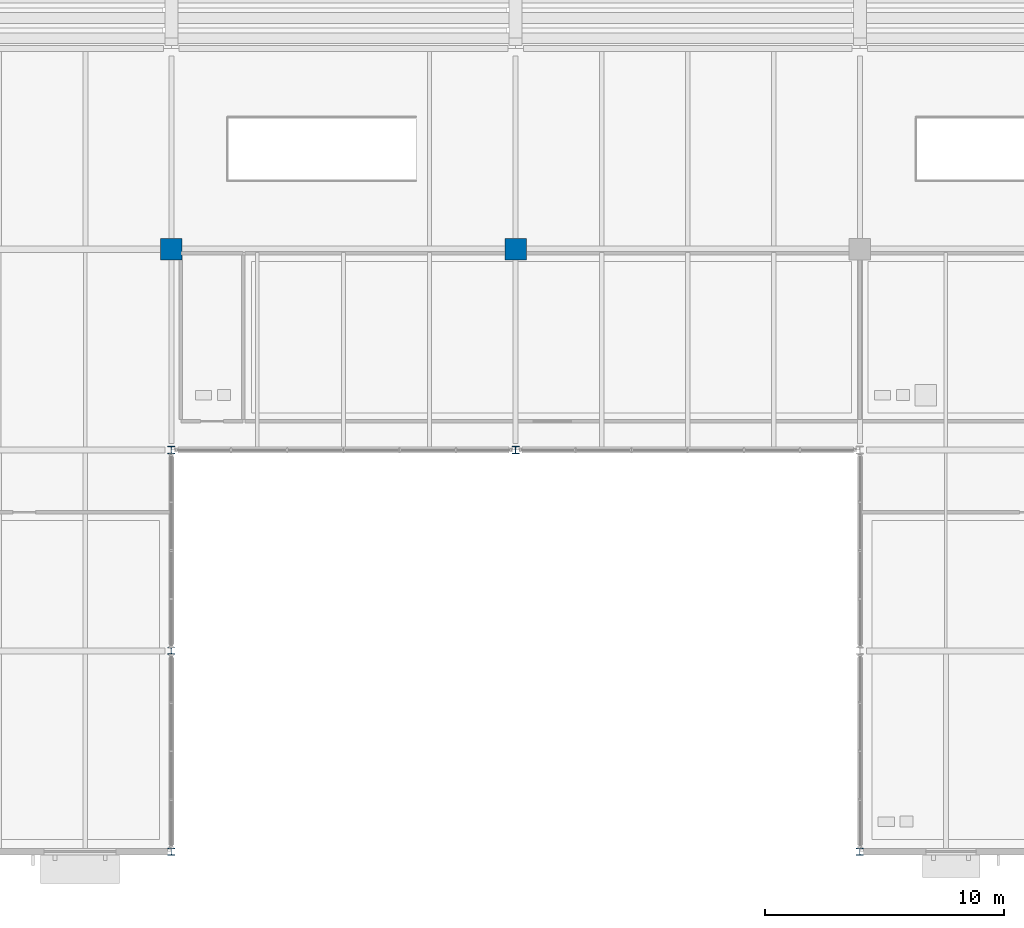
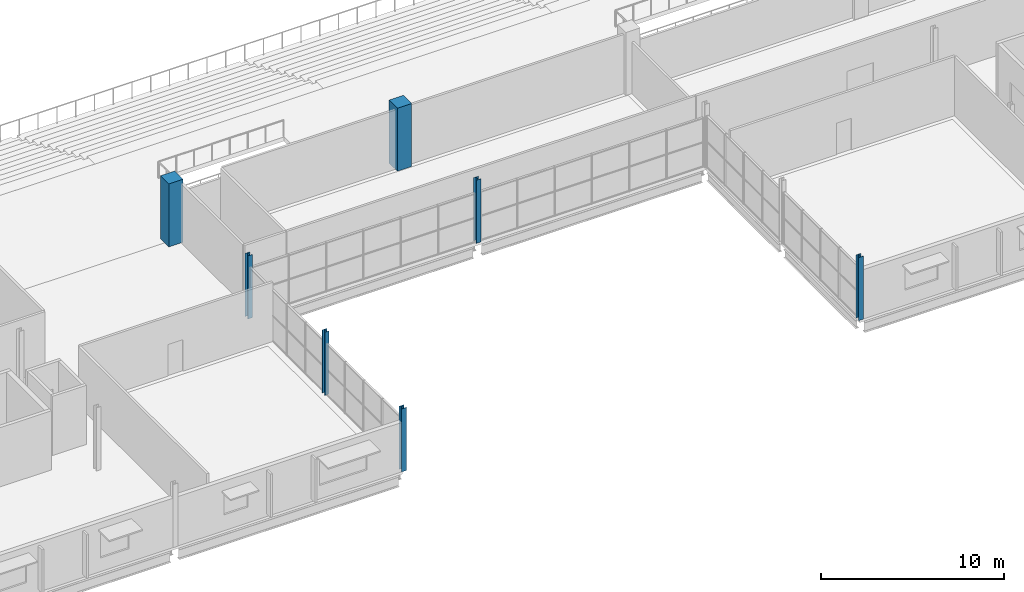
# One storey, part 3 of 161: 7 columns.
"""IFC4 building model written with IfcOpenShell, lengths in metres."""

from ifc_helpers import new_model, si_unit, direction, frame, origin, origin_2d, place, context, subcontext, project, spatial, rectangle, i_section, extrude, material, material_profile, profile_set, type_object, element, save


model = new_model("IFC4")

# Units and contexts
model_context = context("Model", 3, precision=1e-05, world=origin(), true_north=direction((0.0, 1.0)))
body_context = subcontext(model_context, "Body", "Model", "MODEL_VIEW")
ifc_project = project(units=[si_unit("LENGTHUNIT", "METRE"), si_unit("AREAUNIT", "SQUARE_METRE"), si_unit("VOLUMEUNIT", "CUBIC_METRE"), si_unit("PLANEANGLEUNIT", "RADIAN"), si_unit("MASSUNIT", "GRAM", prefix="KILO"), si_unit("THERMODYNAMICTEMPERATUREUNIT", "KELVIN")], contexts=[model_context])

# Site, building, storey
site_placement = place(None, origin())
site = spatial("IfcSite", under=ifc_project, at=site_placement, CompositionType="ELEMENT")
building_placement = place(site_placement, origin())
building = spatial("IfcBuilding", under=site, at=building_placement, Name="Nduvali Passage Aquatics Centre", CompositionType="ELEMENT")
storey_placement = place(building_placement, frame((0.0, 0.0, 4.800048828125)))
storey = spatial("IfcBuildingStorey", under=building, at=storey_placement, Name="L01", CompositionType="ELEMENT", Elevation=4.800048828125)

# Columns
ifc_material_1 = material(Name="Steel S355", Category="steel")
ifc_material_profile_1 = material_profile(ifc_material_1, i_section(OverallWidth=0.280029296875, OverallDepth=0.280029296875, WebThickness=0.010498046875, FlangeThickness=0.01806640625, FilletRadius=0.02392578125, at=origin_2d()), Name="HEB 280")
ifc_profile_set_1 = profile_set([ifc_material_profile_1], Name="Steel S355")
column_type_1 = type_object("IfcColumnType", Name="STR-COL-HEB280-EXT", PredefinedType="COLUMN", material=ifc_profile_set_1)
column_placement = place(storey_placement, frame((68.39990234375, 8.39990234375, 0.0), z_axis=(0.0, 0.0, 1.0), x_axis=(1.0, 0.0, 0.0)))
element("IfcColumn", 1, at=column_placement, inside=storey, type_object=column_type_1, Name="L01 Column C9E (68.4, 8.4)", PredefinedType="COLUMN", context=body_context, shape_type="SweptSolid", body=[
    extrude(i_section(OverallWidth=0.280029296875, OverallDepth=0.280029296875, WebThickness=0.010498046875, FlangeThickness=0.01806640625, FilletRadius=0.02392578125, at=origin_2d()), origin(), (0.0, 0.0, 1.0), 4.199951171875),
])
ifc_material_profile_2 = material_profile(ifc_material_1, i_section(OverallWidth=0.300048828125, OverallDepth=0.300048828125, WebThickness=0.010986328125, FlangeThickness=0.01904296875, FilletRadius=0.027099609375, at=origin_2d()), Name="HEB 300")
ifc_profile_set_2 = profile_set([ifc_material_profile_2], Name="Steel S355")
column_type_2 = type_object("IfcColumnType", Name="STR-COL-HEB300-EXT", PredefinedType="COLUMN", material=ifc_profile_set_2)
for number, where, z_axis, x_axis, name in (
    (2, (68.39990234375, 0.0, 0.0), (0.0, 0.0, 1.0), (1.0, 0.0, 0.0), "L01 Column C8E (68.4, 0.0)"),
    (3, (68.39990234375, 16.800048828125, 0.0), (0.0, 0.0, 1.0), (1.0, 0.0, 0.0), "L01 Column C8E (68.4, 16.8)"),
    (4, (82.800048828125, 16.800048828125, 0.0), (0.0, 0.0, 1.0), (1.0, 0.0, 0.0), "L01 Column C8E (82.8, 16.8)"),
    (5, (97.199951171875, 0.0, 0.0), (0.0, 0.0, 1.0), (1.0, 0.0, 0.0), "L01 Column C8E (97.2, 0.0)"),
):
    element("IfcColumn", number, at=place(storey_placement, frame(where, z_axis=z_axis, x_axis=x_axis)), inside=storey, type_object=column_type_2, Name=name, PredefinedType="COLUMN", context=body_context, shape_type="SweptSolid", body=[
        extrude(i_section(OverallWidth=0.300048828125, OverallDepth=0.300048828125, WebThickness=0.010986328125, FlangeThickness=0.01904296875, FilletRadius=0.027099609375, at=origin_2d()), origin(), (0.0, 0.0, 1.0), 4.199951171875),
    ])
ifc_material_2 = material(Name="Concrete C40/50", Category="concrete")
ifc_material_profile_3 = material_profile(ifc_material_2, rectangle(XDim=0.89990234375, YDim=0.89990234375, at=origin_2d()), Name="RC 900x900")
ifc_profile_set_3 = profile_set([ifc_material_profile_3], Name="Concrete C40/50")
column_type_3 = type_object("IfcColumnType", Name="STR-COL-RC900-EXT", PredefinedType="COLUMN", material=ifc_profile_set_3)
for number, where, z_axis, x_axis, name in (
    (6, (68.39990234375, 25.199951171875, 0.0), (0.0, 0.0, 1.0), (1.0, 0.0, 0.0), "L01 Column C1E (68.4, 25.2)"),
    (7, (82.800048828125, 25.199951171875, 0.0), (0.0, 0.0, 1.0), (1.0, 0.0, 0.0), "L01 Column C1E (82.8, 25.2)"),
):
    element("IfcColumn", number, at=place(storey_placement, frame(where, z_axis=z_axis, x_axis=x_axis)), inside=storey, type_object=column_type_3, Name=name, PredefinedType="COLUMN", context=body_context, shape_type="SweptSolid", body=[
        extrude(rectangle(XDim=0.89990234375, YDim=0.89990234375, at=origin_2d()), origin(), (0.0, 0.0, 1.0), 4.199951171875),
    ])

save(model, "model.ifc")
